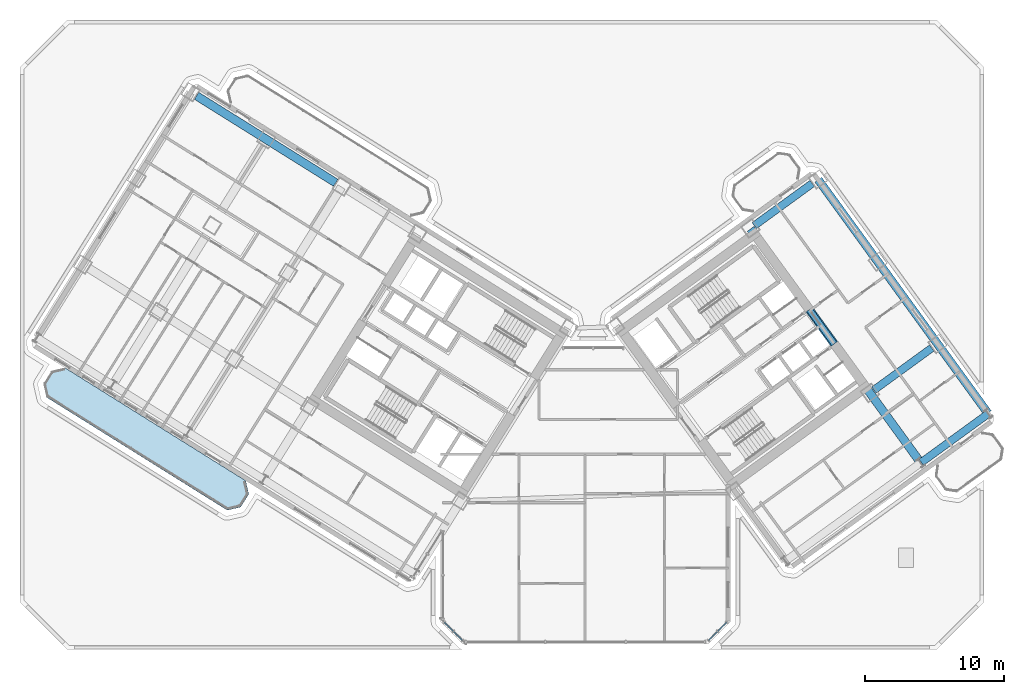
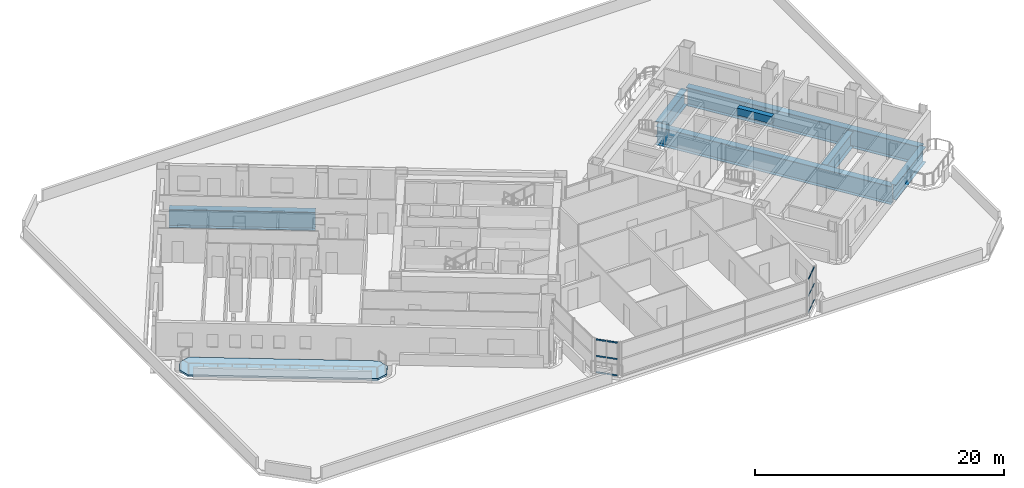
# One storey, part 12 of 28: 12 members, 7 beams, 1 slab, 2 elements without a shape of their own.
"""IFC4 building model written with IfcOpenShell, lengths in metres."""

import ifcopenshell
import ifcopenshell.guid

model = None  # the IFC model being written
_history = None  # IfcOwnerHistory: only IFC2X3 demands one
_inside = {}  # id of a spatial element -> (the spatial element, [elements in it])
_under = {}  # id of a project, library or spatial element -> (it, [spatial elements below it])
_declared = {}  # id of a project -> (the project, [libraries it declares])
_typed = {}  # id of a type object -> (the type object, [elements of that type])
_made_of = {}  # id of a material, layer set ... -> (it, [elements and type objects made of it])


def new_model(schema):
    """Start an empty IFC model of exactly this schema.

    Asked for "IFC4X3", IfcOpenShell would pick the latest addendum, in which some entities
    have other attributes; the version numbers below select the first issue.
    IFC2X3 requires an IfcOwnerHistory on every rooted entity: one is made here for all.
    """
    global model, _history
    if schema == "IFC4X3":
        model = ifcopenshell.file(schema_version=(4, 3, 0, 0))
    else:
        model = ifcopenshell.file(schema=schema)
    _inside.clear()
    _under.clear()
    _declared.clear()
    _typed.clear()
    _made_of.clear()
    _history = None
    if model.schema == "IFC2X3":
        org = make("IfcOrganization", Name="unknown")
        user = make(
            "IfcPersonAndOrganization",
            ThePerson=make("IfcPerson", FamilyName="unknown"),
            TheOrganization=org,
        )
        app = make(
            "IfcApplication",
            ApplicationDeveloper=org,
            Version="unknown",
            ApplicationFullName="unknown",
            ApplicationIdentifier="unknown",
        )
        _history = make(
            "IfcOwnerHistory",
            OwningUser=user,
            OwningApplication=app,
            ChangeAction="ADDED",
            CreationDate=0,
        )
    return model


def make(cls, **values):
    """One entity of the class cls with the attributes given. An attribute that is None is left unset."""
    return model.create_entity(
        cls, **{name: value for name, value in values.items() if value is not None}
    )


def rooted(cls, **values):
    """An entity with a GlobalId (a new one), such as an element, a storey or a relation."""
    return make(cls, GlobalId=ifcopenshell.guid.new(), OwnerHistory=_history, **values)


def si_unit(unit_type, name, prefix=None):
    """IfcSIUnit, for example si_unit("LENGTHUNIT", "METRE", prefix="MILLI")."""
    return make("IfcSIUnit", UnitType=unit_type, Prefix=prefix, Name=name)


def assignment(units):
    """IfcUnitAssignment: the units of a project."""
    return None if units is None else make("IfcUnitAssignment", Units=units)


def point(xyz):
    """IfcCartesianPoint."""
    return None if xyz is None else make("IfcCartesianPoint", Coordinates=xyz)


def direction(xyz):
    """IfcDirection."""
    return None if xyz is None else make("IfcDirection", DirectionRatios=xyz)


def frame(location, z_axis=None, x_axis=None):
    """IfcAxis2Placement3D, a coordinate frame: its origin and axes. An axis left out is left unset."""
    return make(
        "IfcAxis2Placement3D",
        Location=point(location),
        Axis=direction(z_axis),
        RefDirection=direction(x_axis),
    )


def frame_2d(location, x_axis=None):
    """IfcAxis2Placement2D, a coordinate frame in the plane: its origin and x axis."""
    return make(
        "IfcAxis2Placement2D", Location=point(location), RefDirection=direction(x_axis)
    )


def origin():
    """The frame at (0, 0, 0) with its axes left unset."""
    return frame((0.0, 0.0, 0.0))


def origin_2d():
    """The frame at (0, 0) in the plane with its x axis left unset."""
    return frame_2d((0.0, 0.0))


def place(relative_to, where):
    """IfcLocalPlacement: puts the frame where relative to a parent placement (None: the world)."""
    return make(
        "IfcLocalPlacement", PlacementRelTo=relative_to, RelativePlacement=where
    )


def context(
    kind, dimensions, precision=None, world=None, true_north=None, identifier=None
):
    """IfcGeometricRepresentationContext, for example the 3D "Model" context."""
    return make(
        "IfcGeometricRepresentationContext",
        ContextIdentifier=identifier,
        ContextType=kind,
        CoordinateSpaceDimension=dimensions,
        Precision=precision,
        WorldCoordinateSystem=world,
        TrueNorth=true_north,
    )


def subcontext(parent, identifier, kind, view, scale=None):
    """IfcGeometricRepresentationSubContext, for example "Body" below "Model"."""
    return make(
        "IfcGeometricRepresentationSubContext",
        ContextIdentifier=identifier,
        ContextType=kind,
        ParentContext=parent,
        TargetScale=scale,
        TargetView=view,
    )


def project(units=None, contexts=None):
    """IfcProject with its units and contexts."""
    return rooted(
        "IfcProject",
        Name="project",
        RepresentationContexts=contexts,
        UnitsInContext=assignment(units),
    )


def spatial(cls, under=None, at=None, **own):
    """A site, building, storey or space (cls), placed at a placement, below another one or the project."""
    s = rooted(cls, ObjectPlacement=at, **own)
    if under is not None:
        _under.setdefault(under.id(), (under, []))[1].append(s)
    return s


def polyline(points):
    """IfcPolyline through the points."""
    return make("IfcPolyline", Points=[point(p) for p in points])


def profile(cls, at=None, kind="AREA", **sizes):
    """A parametric profile (cls). Its sizes go by their IFC names, for example OverallWidth=200.0."""
    return make(cls, ProfileType=kind, Position=at, **sizes)


def rectangle(**sizes):
    """IfcRectangleProfileDef."""
    return profile("IfcRectangleProfileDef", **sizes)


def hollow_rectangle(**sizes):
    """IfcRectangleHollowProfileDef."""
    return profile("IfcRectangleHollowProfileDef", **sizes)


def i_section(**sizes):
    """IfcIShapeProfileDef."""
    return profile("IfcIShapeProfileDef", **sizes)


def outline(outer, holes=None, kind="AREA"):
    """IfcArbitraryClosedProfileDef: a profile drawn as a closed curve; with holes, ...WithVoids."""
    if holes is None:
        return make("IfcArbitraryClosedProfileDef", ProfileType=kind, OuterCurve=outer)
    return make(
        "IfcArbitraryProfileDefWithVoids",
        ProfileType=kind,
        OuterCurve=outer,
        InnerCurves=holes,
    )


def extrude(swept, where, along, depth):
    """IfcExtrudedAreaSolid: the profile swept, set in the frame where, extruded along a direction by depth."""
    return make(
        "IfcExtrudedAreaSolid",
        SweptArea=swept,
        Position=where,
        ExtrudedDirection=direction(along),
        Depth=depth,
    )


def shape(context_of_items, identifier, shape_type, items):
    """IfcShapeRepresentation: the items that make up one representation, for example the "Body"."""
    return make(
        "IfcShapeRepresentation",
        ContextOfItems=context_of_items,
        RepresentationIdentifier=identifier,
        RepresentationType=shape_type,
        Items=items,
    )


def source(mapping_origin, context_of_items, identifier, shape_type, items):
    """IfcRepresentationMap: a shape defined once, which mapped items show again and again."""
    return make(
        "IfcRepresentationMap",
        MappingOrigin=mapping_origin,
        MappedRepresentation=shape(context_of_items, identifier, shape_type, items),
    )


def transform(
    local_origin,
    x_axis=None,
    y_axis=None,
    z_axis=None,
    scale=None,
    scale2=None,
    scale3=None,
    uniform=True,
):
    """IfcCartesianTransformationOperator3D, or its non-uniform kind. x_axis, y_axis, z_axis: its Axis1, 2, 3."""
    if uniform:
        return make(
            "IfcCartesianTransformationOperator3D",
            Axis1=direction(x_axis),
            Axis2=direction(y_axis),
            LocalOrigin=point(local_origin),
            Scale=scale,
            Axis3=direction(z_axis),
        )
    return make(
        "IfcCartesianTransformationOperator3DnonUniform",
        Axis1=direction(x_axis),
        Axis2=direction(y_axis),
        LocalOrigin=point(local_origin),
        Scale=scale,
        Axis3=direction(z_axis),
        Scale2=scale2,
        Scale3=scale3,
    )


def mapped(mapping_source, mapping_target):
    """IfcMappedItem: shows the shape of a source again, moved by a transform."""
    return make(
        "IfcMappedItem", MappingSource=mapping_source, MappingTarget=mapping_target
    )


def material(Name=None, Category=None):
    """IfcMaterial."""
    return make("IfcMaterial", Name=Name, Category=Category)


def layer(
    of_material, thickness, ventilated=None, Name=None, Category=None, Priority=None
):
    """IfcMaterialLayer: one layer of a wall or slab, of a material (None: an air gap)."""
    return make(
        "IfcMaterialLayer",
        Material=of_material,
        LayerThickness=thickness,
        IsVentilated=ventilated,
        Name=Name,
        Category=Category,
        Priority=Priority,
    )


def layer_set(layers, Name=None):
    """IfcMaterialLayerSet."""
    return make("IfcMaterialLayerSet", MaterialLayers=layers, LayerSetName=Name)


def material_profile(
    of_material, cross_section, Name=None, Category=None, Priority=None
):
    """IfcMaterialProfile: a cross section and its material."""
    return make(
        "IfcMaterialProfile",
        Name=Name,
        Material=of_material,
        Profile=cross_section,
        Priority=Priority,
        Category=Category,
    )


def profile_set(profiles, Name=None, composite=None):
    """IfcMaterialProfileSet."""
    return make(
        "IfcMaterialProfileSet",
        Name=Name,
        MaterialProfiles=profiles,
        CompositeProfile=composite,
    )


def made_of(thing, what):
    """Note that an element or type object is made of a material, layer set ...; save() writes the relation."""
    if what is not None:
        _made_of.setdefault(what.id(), (what, []))[1].append(thing)
    return thing


def type_object(cls, material=None, **own):
    """A type object (cls), such as IfcWallType, which elements share."""
    return made_of(rooted(cls, **own), material)


def element(
    cls,
    number,
    at=None,
    inside=None,
    cuts=None,
    type_object=None,
    material=None,
    context=None,
    identifier="Body",
    shape_type=None,
    held_by="IfcProductDefinitionShape",
    body=None,
    shapes=None,
    **own,
):
    """One element of the class cls, such as IfcWall. Its Tag is "e" and its number.

    at: its placement. inside: the storey or other place that contains it. cuts: it is an
    opening in that element (IfcRelVoidsElement). A single representation is given by context,
    identifier, shape_type and body (its items); several are given by shapes. held_by: the class
    of the entity that holds the representations. save() writes the other relations.
    """
    e = rooted(cls, Tag="e%d" % number, ObjectPlacement=at, **own)
    if body is not None:
        shapes = [shape(context, identifier, shape_type, body)]
    if shapes is not None:
        e.Representation = make(held_by, Representations=shapes)
    if inside is not None:
        _inside.setdefault(inside.id(), (inside, []))[1].append(e)
    if cuts is not None:
        rooted(
            "IfcRelVoidsElement", RelatingBuildingElement=cuts, RelatedOpeningElement=e
        )
    if type_object is not None:
        _typed.setdefault(type_object.id(), (type_object, []))[1].append(e)
    return made_of(e, material)


def aggregate(whole, parts):
    """IfcRelAggregates: a whole, such as a stair, and the parts it consists of."""
    return rooted("IfcRelAggregates", RelatingObject=whole, RelatedObjects=parts)


def save(model, path):
    """Write the relations noted so far, then the file.

    IfcRelAggregates (storeys below a building ...), IfcRelContainedInSpatialStructure (elements
    in a storey), IfcRelDefinesByType, IfcRelAssociatesMaterial and IfcRelDeclares: one each for
    every whole, place, type object, material and project.
    """
    for whole, parts in _under.values():
        aggregate(whole, parts)
    for where, things in _inside.values():
        rooted(
            "IfcRelContainedInSpatialStructure",
            RelatedElements=things,
            RelatingStructure=where,
        )
    for kind, things in _typed.values():
        rooted("IfcRelDefinesByType", RelatedObjects=things, RelatingType=kind)
    for what, things in _made_of.values():
        rooted("IfcRelAssociatesMaterial", RelatedObjects=things, RelatingMaterial=what)
    for by, libraries in _declared.values():
        rooted("IfcRelDeclares", RelatingContext=by, RelatedDefinitions=libraries)
    model.write(path)


model = new_model("IFC4")

# Units and contexts
model_context = context("Model", 3, precision=1e-05, world=origin(), true_north=direction((0.0, 1.0)))
body_context = subcontext(model_context, "Body", "Model", "MODEL_VIEW")
ifc_project = project(units=[si_unit("LENGTHUNIT", "METRE"), si_unit("AREAUNIT", "SQUARE_METRE"), si_unit("VOLUMEUNIT", "CUBIC_METRE"), si_unit("PLANEANGLEUNIT", "RADIAN"), si_unit("MASSUNIT", "GRAM", prefix="KILO")], contexts=[model_context])

# Site, building, storey
site_placement = place(None, origin())
site = spatial("IfcSite", under=ifc_project, at=site_placement, CompositionType="ELEMENT")
building_placement = place(site_placement, origin())
building = spatial("IfcBuilding", under=site, at=building_placement, Name="Tlacorven Tower", CompositionType="ELEMENT")
storey_placement = place(building_placement, frame((0.0, 0.0, 24.0)))
storey = spatial("IfcBuildingStorey", under=building, at=storey_placement, Name="L05", CompositionType="ELEMENT", Elevation=24.0)

# Beams
ifc_material_1 = material(Name="Concrete C60/75", Category="concrete")
ifc_material_profile_1 = material_profile(ifc_material_1, rectangle(XDim=0.449951171875, YDim=0.699951171875, at=origin_2d()), Name="RC 450X700")
ifc_profile_set_1 = profile_set([ifc_material_profile_1], Name="Concrete C60/75")
beam_type_1 = type_object("IfcBeamType", Name="BM-LNT-700", PredefinedType="LINTEL", material=ifc_profile_set_1)
shared_shape_1 = source(origin(), body_context, "Body", "SweptSolid", [
    extrude(rectangle(XDim=0.449951171875, YDim=0.699951171875, at=origin_2d()), origin(), (0.0, 0.0, 1.0), 3.050048828125),
])
beam_1_placement = place(storey_placement, frame((59.856689453125, 23.345947265625, 3.0), z_axis=(-0.587776590479, 0.80902328748, 0.0), x_axis=(-0.80902328748, -0.587776590479, 0.0)))
element("IfcBeam", 1, at=beam_1_placement, inside=storey, type_object=beam_type_1, Name="L05 E core coupling lintel beam E2", PredefinedType="LINTEL", context=body_context, shape_type="MappedRepresentation", body=[
    mapped(shared_shape_1, transform((0.0, 0.0, 0.0), scale=1.0)),
])
ifc_material_2 = material(Name="Steel S460M", Category="steel")
ifc_material_profile_2 = material_profile(ifc_material_2, i_section(OverallWidth=0.60009765625, OverallDepth=1.800048828125, WebThickness=0.028076171875, FlangeThickness=0.0400390625, at=origin_2d()), Name="PG 1800X600X28X40")
ifc_profile_set_2 = profile_set([ifc_material_profile_2], Name="Steel S460M")
beam_type_2 = type_object("IfcBeamType", Name="BM-TRG-1800", PredefinedType="USERDEFINED", material=ifc_profile_set_2)
shared_shape_2 = source(origin(), body_context, "Body", "SweptSolid", [
    extrude(i_section(OverallWidth=0.60009765625, OverallDepth=1.800048828125, WebThickness=0.028076171875, FlangeThickness=0.0400390625, at=origin_2d()), origin(), (0.0, 0.0, 1.0), 11.780029296875),
])
beam_2_placement = place(storey_placement, frame((24.06787109375, 34.9130859375, -1.35009765625), z_axis=(-0.848048366356, 0.529918831823, 0.0), x_axis=(-0.529918831823, -0.848048366356, 0.0)))
element("IfcBeam", 2, at=beam_2_placement, inside=storey, type_object=beam_type_2, Name="L05 beam TG-L05-W2-1", ObjectType="TRANSFER GIRDER", PredefinedType="USERDEFINED", context=body_context, shape_type="MappedRepresentation", body=[
    mapped(shared_shape_2, transform((0.0, 0.0, 0.0), scale=1.0)),
])
ifc_material_profile_3 = material_profile(ifc_material_2, i_section(OverallWidth=0.550048828125, OverallDepth=1.5, WebThickness=0.02490234375, FlangeThickness=0.0380859375, at=origin_2d()), Name="PG 1500X550X25X38")
ifc_profile_set_3 = profile_set([ifc_material_profile_3], Name="Steel S460M")
beam_type_3 = type_object("IfcBeamType", Name="BM-TRG-1500", PredefinedType="USERDEFINED", material=ifc_profile_set_3)
shared_shape_3 = source(origin(), body_context, "Body", "SweptSolid", [
    extrude(i_section(OverallWidth=0.550048828125, OverallDepth=1.5, WebThickness=0.02490234375, FlangeThickness=0.0380859375, at=origin_2d()), origin(), (0.0, 0.0, 1.0), 5.14013671875),
])
for number, where, z_axis, x_axis, name in (
    (3, (62.69677734375, 20.032470703125, -1.199951171875), (0.809021486305, 0.587779069631, 0.0), (-0.587779069631, 0.809021486305, 0.0), "L05 beam TG-L05-E1-1"),
    (4, (54.114990234375, 31.84423828125, -1.199951171875), (0.809021486305, 0.587779069631, 0.0), (-0.587779069631, 0.809021486305, 0.0), "L05 beam TG-L05-E1-2"),
):
    element("IfcBeam", number, at=place(storey_placement, frame(where, z_axis=z_axis, x_axis=x_axis)), inside=storey, type_object=beam_type_3, Name=name, ObjectType="TRANSFER GIRDER", PredefinedType="USERDEFINED", context=body_context, shape_type="MappedRepresentation", body=[
        mapped(shared_shape_3, transform((0.0, 0.0, 0.0), scale=1.0)),
    ])
shared_shape_4 = source(origin(), body_context, "Body", "SweptSolid", [
    extrude(i_section(OverallWidth=0.60009765625, OverallDepth=1.800048828125, WebThickness=0.028076171875, FlangeThickness=0.0400390625, at=origin_2d()), origin(), (0.0, 0.0, 1.0), 20.72021484375),
])
beam_3_placement = place(storey_placement, frame((53.85546875, 31.606201171875, -1.35009765625), z_axis=(0.587784199495, -0.809017759276, 0.0), x_axis=(0.809017759276, 0.587784199495, 0.0)))
element("IfcBeam", 5, at=beam_3_placement, inside=storey, type_object=beam_type_2, Name="L05 beam TG-L05-EB3", ObjectType="TRANSFER GIRDER", PredefinedType="USERDEFINED", context=body_context, shape_type="MappedRepresentation", body=[
    mapped(shared_shape_4, transform((0.0, 0.0, 0.0), scale=1.0)),
])
shared_shape_5 = source(origin(), body_context, "Body", "SweptSolid", [
    extrude(i_section(OverallWidth=0.60009765625, OverallDepth=1.800048828125, WebThickness=0.028076171875, FlangeThickness=0.0400390625, at=origin_2d()), origin(), (0.0, 0.0, 1.0), 20.719970703125),
])
beam_4_placement = place(storey_placement, frame((58.70947265625, 35.1328125, -1.35009765625), z_axis=(0.587789802576, -0.809013688381, 0.0), x_axis=(0.809013688381, 0.587789802576, 0.0)))
element("IfcBeam", 6, at=beam_4_placement, inside=storey, type_object=beam_type_2, Name="L05 beam TG-L05-EB4", ObjectType="TRANSFER GIRDER", PredefinedType="USERDEFINED", context=body_context, shape_type="MappedRepresentation", body=[
    mapped(shared_shape_5, transform((0.0, 0.0, 0.0), scale=1.0)),
])
shared_shape_6 = source(origin(), body_context, "Body", "SweptSolid", [
    extrude(i_section(OverallWidth=0.550048828125, OverallDepth=1.5, WebThickness=0.02490234375, FlangeThickness=0.0380859375, at=origin_2d()), origin(), (0.0, 0.0, 1.0), 5.900146484375),
])
beam_5_placement = place(storey_placement, frame((66.098388671875, 14.84033203125, -1.199951171875), z_axis=(0.80900977213, 0.587795192732, 0.0), x_axis=(-0.587795192732, 0.80900977213, 0.0)))
element("IfcBeam", 7, at=beam_5_placement, inside=storey, type_object=beam_type_3, Name="L05 beam TG-L05-ES3", ObjectType="TRANSFER GIRDER", PredefinedType="USERDEFINED", context=body_context, shape_type="MappedRepresentation", body=[
    mapped(shared_shape_6, transform((0.0, 0.0, 0.0), scale=1.0)),
])

# Curtain wall, members
ifc_material_3 = material(Name="Dark solar low-E double glazing in aluminium frame", Category="aluminium")
curtain_wall_type = type_object("IfcCurtainWallType", Name="CW-TWR-LOW", PredefinedType="USERDEFINED", material=ifc_material_3)
curtain_wall_1_placement = place(storey_placement, origin())
curtain_wall_1 = element("IfcCurtainWall", 8, at=curtain_wall_1_placement, inside=storey, type_object=curtain_wall_type, Name="L05 CW-TWR-LOW Curtain Wall 21", ObjectType="UNITISED CURTAIN WALL", PredefinedType="USERDEFINED")
ifc_material_4 = material(Name="Aluminium 6063-T6 anodised", Category="aluminium")
ifc_material_profile_4 = material_profile(ifc_material_4, hollow_rectangle(XDim=0.06005859375, YDim=0.139892578125, WallThickness=0.00390625, at=origin_2d()), Name="ALU TRANSOM 60X140")
ifc_profile_set_4 = profile_set([ifc_material_profile_4], Name="Aluminium 6063-T6 anodised")
member_type = type_object("IfcMemberType", Name="CWT-02", PredefinedType="USERDEFINED", material=ifc_profile_set_4)
shared_shape_7 = source(origin(), body_context, "Body", "SweptSolid", [
    extrude(hollow_rectangle(XDim=0.06005859375, YDim=0.139892578125, WallThickness=0.00390625, at=origin_2d()), origin(), (0.0, 0.0, 1.0), 0.8837890625),
])
member_1_placement = place(storey_placement, frame((52.128173828125, 3.3544921875, 0.070068359375), z_axis=(-0.707106781187, -0.707106781187, 0.0), x_axis=(0.707106781187, -0.707106781187, 0.0)))
member_1 = element("IfcMember", 9, at=member_1_placement, type_object=member_type, Name="CW-L05-021 Transom 1", ObjectType="TRANSOM", PredefinedType="USERDEFINED", context=body_context, shape_type="MappedRepresentation", body=[
    mapped(shared_shape_7, transform((0.0, 0.0, 0.0), scale=1.0)),
])
member_2_placement = place(storey_placement, frame((52.128173828125, 3.3544921875, 1.675048828125), z_axis=(-0.707106781187, -0.707106781187, 0.0), x_axis=(0.707106781187, -0.707106781187, 0.0)))
member_2 = element("IfcMember", 10, at=member_2_placement, type_object=member_type, Name="CW-L05-021 Transom 2", ObjectType="TRANSOM", PredefinedType="USERDEFINED", context=body_context, shape_type="MappedRepresentation", body=[
    mapped(shared_shape_7, transform((0.0, 0.0, 0.0), scale=1.0)),
])
member_3_placement = place(storey_placement, frame((52.128173828125, 3.3544921875, 3.280029296875), z_axis=(-0.707106781187, -0.707106781187, 0.0), x_axis=(0.707106781187, -0.707106781187, 0.0)))
member_3 = element("IfcMember", 11, at=member_3_placement, type_object=member_type, Name="CW-L05-021 Transom 3", ObjectType="TRANSOM", PredefinedType="USERDEFINED", context=body_context, shape_type="MappedRepresentation", body=[
    mapped(shared_shape_7, transform((0.0, 0.0, 0.0), scale=1.0)),
])

curtain_wall_2_placement = place(storey_placement, origin())
curtain_wall_2 = element("IfcCurtainWall", 12, at=curtain_wall_2_placement, inside=storey, type_object=curtain_wall_type, Name="L05 CW-TWR-LOW Curtain Wall 23", ObjectType="UNITISED CURTAIN WALL", PredefinedType="USERDEFINED")
member_4_placement = place(storey_placement, frame((32.496826171875, 2.7294921875, 0.070068359375), z_axis=(-0.707106781187, 0.707106781187, 0.0), x_axis=(-0.707106781187, -0.707106781187, 0.0)))
member_4 = element("IfcMember", 13, at=member_4_placement, type_object=member_type, Name="CW-L05-023 Transom 4", ObjectType="TRANSOM", PredefinedType="USERDEFINED", context=body_context, shape_type="MappedRepresentation", body=[
    mapped(shared_shape_7, transform((0.0, 0.0, 0.0), scale=1.0)),
])
member_5_placement = place(storey_placement, frame((32.496826171875, 2.7294921875, 1.675048828125), z_axis=(-0.707106781187, 0.707106781187, 0.0), x_axis=(-0.707106781187, -0.707106781187, 0.0)))
member_5 = element("IfcMember", 14, at=member_5_placement, type_object=member_type, Name="CW-L05-023 Transom 5", ObjectType="TRANSOM", PredefinedType="USERDEFINED", context=body_context, shape_type="MappedRepresentation", body=[
    mapped(shared_shape_7, transform((0.0, 0.0, 0.0), scale=1.0)),
])
member_6_placement = place(storey_placement, frame((32.496826171875, 2.7294921875, 3.280029296875), z_axis=(-0.707106781187, 0.707106781187, 0.0), x_axis=(-0.707106781187, -0.707106781187, 0.0)))
member_6 = element("IfcMember", 15, at=member_6_placement, type_object=member_type, Name="CW-L05-023 Transom 6", ObjectType="TRANSOM", PredefinedType="USERDEFINED", context=body_context, shape_type="MappedRepresentation", body=[
    mapped(shared_shape_7, transform((0.0, 0.0, 0.0), scale=1.0)),
])

# Member
shared_shape_8 = source(origin(), body_context, "Body", "SweptSolid", [
    extrude(hollow_rectangle(XDim=0.06005859375, YDim=0.139892578125, WallThickness=0.00390625, at=origin_2d()), origin(), (0.0, 0.0, 1.0), 0.884033203125),
])
member_7_placement = place(storey_placement, frame((51.470703125, 2.69677734375, 0.070068359375), z_axis=(-0.707244847527, -0.706968687883, 0.0), x_axis=(0.706968687883, -0.707244847527, 0.0)))
member_7 = element("IfcMember", 16, at=member_7_placement, type_object=member_type, Name="CW-L05-021 Transom 4", ObjectType="TRANSOM", PredefinedType="USERDEFINED", context=body_context, shape_type="MappedRepresentation", body=[
    mapped(shared_shape_8, transform((0.0, 0.0, 0.0), scale=1.0)),
])

member_8_placement = place(storey_placement, frame((51.470703125, 2.69677734375, 1.675048828125), z_axis=(-0.707244847527, -0.706968687883, 0.0), x_axis=(0.706968687883, -0.707244847527, 0.0)))
member_8 = element("IfcMember", 17, at=member_8_placement, type_object=member_type, Name="CW-L05-021 Transom 5", ObjectType="TRANSOM", PredefinedType="USERDEFINED", context=body_context, shape_type="MappedRepresentation", body=[
    mapped(shared_shape_8, transform((0.0, 0.0, 0.0), scale=1.0)),
])

member_9_placement = place(storey_placement, frame((51.470703125, 2.69677734375, 3.280029296875), z_axis=(-0.707244847527, -0.706968687883, 0.0), x_axis=(0.706968687883, -0.707244847527, 0.0)))
member_9 = element("IfcMember", 18, at=member_9_placement, type_object=member_type, Name="CW-L05-021 Transom 6", ObjectType="TRANSOM", PredefinedType="USERDEFINED", context=body_context, shape_type="MappedRepresentation", body=[
    mapped(shared_shape_8, transform((0.0, 0.0, 0.0), scale=1.0)),
])

aggregate(curtain_wall_1, [member_1, member_2, member_3, member_7, member_8, member_9])

member_10_placement = place(storey_placement, frame((33.154541015625, 2.07177734375, 0.070068359375), z_axis=(-0.707244847527, 0.706968687883, 0.0), x_axis=(-0.706968687883, -0.707244847527, 0.0)))
member_10 = element("IfcMember", 19, at=member_10_placement, type_object=member_type, Name="CW-L05-023 Transom 1", ObjectType="TRANSOM", PredefinedType="USERDEFINED", context=body_context, shape_type="MappedRepresentation", body=[
    mapped(shared_shape_8, transform((0.0, 0.0, 0.0), scale=1.0)),
])

member_11_placement = place(storey_placement, frame((33.154541015625, 2.07177734375, 1.675048828125), z_axis=(-0.707244847527, 0.706968687883, 0.0), x_axis=(-0.706968687883, -0.707244847527, 0.0)))
member_11 = element("IfcMember", 20, at=member_11_placement, type_object=member_type, Name="CW-L05-023 Transom 2", ObjectType="TRANSOM", PredefinedType="USERDEFINED", context=body_context, shape_type="MappedRepresentation", body=[
    mapped(shared_shape_8, transform((0.0, 0.0, 0.0), scale=1.0)),
])

member_12_placement = place(storey_placement, frame((33.154541015625, 2.07177734375, 3.280029296875), z_axis=(-0.707244847527, 0.706968687883, 0.0), x_axis=(-0.706968687883, -0.707244847527, 0.0)))
member_12 = element("IfcMember", 21, at=member_12_placement, type_object=member_type, Name="CW-L05-023 Transom 3", ObjectType="TRANSOM", PredefinedType="USERDEFINED", context=body_context, shape_type="MappedRepresentation", body=[
    mapped(shared_shape_8, transform((0.0, 0.0, 0.0), scale=1.0)),
])

aggregate(curtain_wall_2, [member_10, member_11, member_12, member_4, member_5, member_6])

# Slab
ifc_material_5 = material(Name="Precast concrete C45/55", Category="concrete")
ifc_layer = layer(ifc_material_5, 0.179931640625)
ifc_layer_set = layer_set([ifc_layer], Name="Precast concrete C45/55")
slab_type = type_object("IfcSlabType", Name="SL-BAL-180", PredefinedType="USERDEFINED", material=ifc_layer_set)
slab_placement = place(storey_placement, frame((0.0, 0.0, -0.179931640625)))
element("IfcSlab", 22, at=slab_placement, inside=storey, type_object=slab_type, Name="L05 West Wing Balcony Ribbon OUT", ObjectType="BALCONY SLAB", PredefinedType="USERDEFINED", context=body_context, shape_type="SweptSolid", body=[
    extrude(outline(polyline([(17.601318359375, 13.52490234375), (4.626220703125, 21.632568359375), (3.66162109375, 21.409912109375), (3.081298828125, 20.4814453125), (3.303955078125, 19.516845703125), (16.279052734375, 11.408935546875), (17.24365234375, 11.6318359375), (17.823974609375, 12.560302734375), (17.601318359375, 13.52490234375)])), origin(), (0.0, 0.0, 1.0), 0.179931640625),
])

save(model, "model.ifc")
